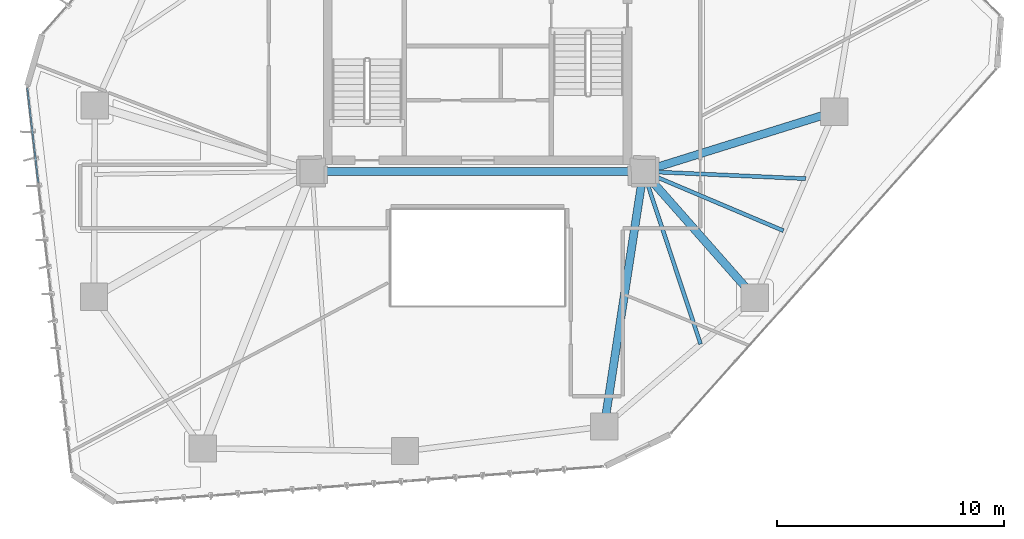
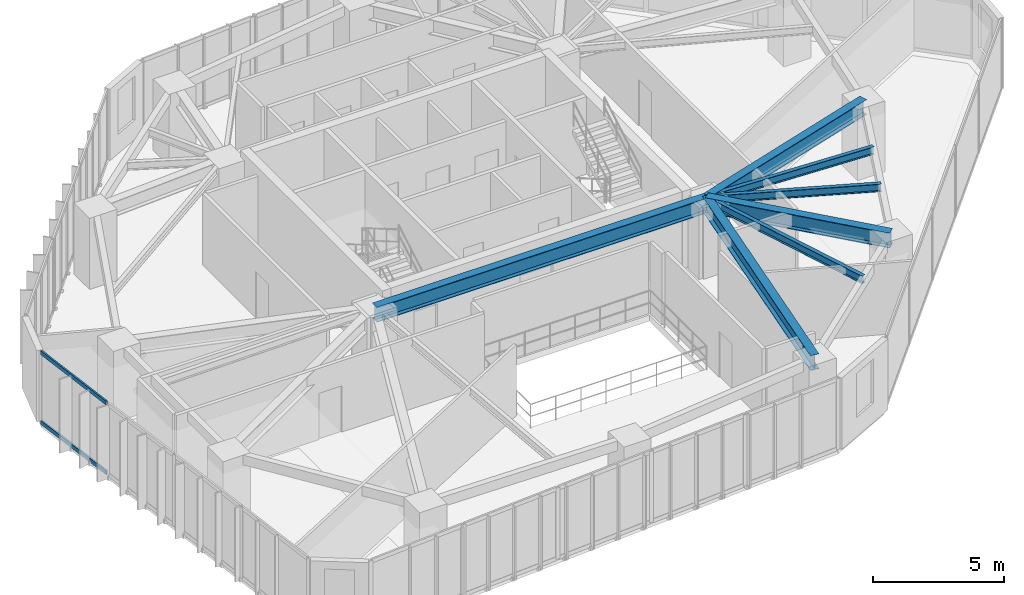
# One storey, part 8 of 23: 7 beams, 2 members, 1 element without a shape of its own.
"""IFC4 building model written with IfcOpenShell, lengths in metres."""

from ifc_helpers import new_model, si_unit, direction, frame, origin, origin_2d, place, context, subcontext, project, spatial, hollow_rectangle, i_section, extrude, source, transform, mapped, material, layer, layer_set, material_profile, profile_set, type_object, type_shapes, element, aggregate, save


model = new_model("IFC4")

# Units and contexts
model_context = context("Model", 3, precision=1e-05, world=origin(), true_north=direction((0.0, 1.0)))
body_context = subcontext(model_context, "Body", "Model", "MODEL_VIEW")
ifc_project = project(units=[si_unit("LENGTHUNIT", "METRE"), si_unit("AREAUNIT", "SQUARE_METRE"), si_unit("VOLUMEUNIT", "CUBIC_METRE"), si_unit("PLANEANGLEUNIT", "RADIAN"), si_unit("MASSUNIT", "GRAM", prefix="KILO")], contexts=[model_context])

# Site, building, storey
site_placement = place(None, origin())
site = spatial("IfcSite", under=ifc_project, at=site_placement, CompositionType="ELEMENT")
building_placement = place(site_placement, origin())
building = spatial("IfcBuilding", under=site, at=building_placement, Name="Talar Marvaseh", CompositionType="ELEMENT")
storey_placement = place(building_placement, frame((0.0, 0.0, 103.800048828125)))
storey = spatial("IfcBuildingStorey", under=building, at=storey_placement, Name="L26", CompositionType="ELEMENT", Elevation=103.800048828125)

# Beams
ifc_material_1 = material(Name="Steel S355", Category="steel")
ifc_material_profile_1 = material_profile(ifc_material_1, i_section(OverallWidth=0.35498046875, OverallDepth=0.695068359375, WebThickness=0.015380859375, FlangeThickness=0.02490234375, at=origin_2d()), Name="W690x217")
ifc_profile_set_1 = profile_set([ifc_material_profile_1], Name="Steel S355")
beam_type_1 = type_object("IfcBeamType", Name="Zone 2 Radial Floor Girder W690x217", PredefinedType="BEAM", material=ifc_profile_set_1)
beam_1_placement = place(storey_placement, frame((18.699951171875, 25.5, 2.96240234375), z_axis=(1.0, 0.0, 0.0), x_axis=(0.0, 1.0, 0.0)))
element("IfcBeam", 1, at=beam_1_placement, inside=storey, type_object=beam_type_1, Name="L26 Zone 2 Radial Floor Girder W690x217", PredefinedType="BEAM", context=body_context, shape_type="SweptSolid", body=[
    extrude(i_section(OverallWidth=0.35498046875, OverallDepth=0.695068359375, WebThickness=0.015380859375, FlangeThickness=0.02490234375, at=origin_2d()), origin(), (0.0, 0.0, 1.0), 14.60009765625),
])
beam_2_placement = place(storey_placement, frame((41.708984375, 28.1279296875, 2.96240234375), z_axis=(-0.954475540106, -0.298289194138, 0.0), x_axis=(0.298289194138, -0.954475540106, 0.0)))
element("IfcBeam", 2, at=beam_2_placement, inside=storey, type_object=beam_type_1, Name="L26 Zone 2 Radial Floor Girder W690x217", PredefinedType="BEAM", context=body_context, shape_type="SweptSolid", body=[
    extrude(i_section(OverallWidth=0.35498046875, OverallDepth=0.695068359375, WebThickness=0.015380859375, FlangeThickness=0.02490234375, at=origin_2d()), origin(), (0.0, 0.0, 1.0), 8.81005859375),
])
beam_3_placement = place(storey_placement, frame((38.2060546875, 19.94091796875, 2.96240234375), z_axis=(-0.661692423388, 0.749775390921, 0.0), x_axis=(-0.749775390921, -0.661692423388, 0.0)))
element("IfcBeam", 3, at=beam_3_placement, inside=storey, type_object=beam_type_1, Name="L26 Zone 2 Radial Floor Girder W690x217", PredefinedType="BEAM", context=body_context, shape_type="SweptSolid", body=[
    extrude(i_section(OverallWidth=0.35498046875, OverallDepth=0.695068359375, WebThickness=0.015380859375, FlangeThickness=0.02490234375, at=origin_2d()), origin(), (0.0, 0.0, 1.0), 7.414306640625),
])
beam_4_placement = place(storey_placement, frame((31.570068359375, 14.26806640625, 2.96240234375), z_axis=(0.152228300633, 0.98834535689, 0.0), x_axis=(-0.98834535689, 0.152228300633, 0.0)))
element("IfcBeam", 4, at=beam_4_placement, inside=storey, type_object=beam_type_1, Name="L26 Zone 2 Radial Floor Girder W690x217", PredefinedType="BEAM", context=body_context, shape_type="SweptSolid", body=[
    extrude(i_section(OverallWidth=0.35498046875, OverallDepth=0.695068359375, WebThickness=0.015380859375, FlangeThickness=0.02490234375, at=origin_2d()), origin(), (0.0, 0.0, 1.0), 11.364501953125),
])
ifc_material_profile_2 = material_profile(ifc_material_1, i_section(OverallWidth=0.172119140625, OverallDepth=0.35791015625, WebThickness=0.0078125, FlangeThickness=0.01318359375, at=origin_2d()), Name="W360x57")
ifc_profile_set_2 = profile_set([ifc_material_profile_2], Name="Steel S355")
beam_type_2 = type_object("IfcBeamType", Name="Zone 2 Secondary Floor Joist W360x57", PredefinedType="JOIST", material=ifc_profile_set_2)
beam_5_placement = place(storey_placement, frame((40.447998046875, 25.1806640625, 3.130859375), z_axis=(-0.999003555358, 0.044630666385, 0.0), x_axis=(-0.044630666385, -0.999003555358, 0.0)))
element("IfcBeam", 5, at=beam_5_placement, inside=storey, type_object=beam_type_2, Name="L26 Zone 2 Secondary Floor Joist W360x57", PredefinedType="JOIST", context=body_context, shape_type="SweptSolid", body=[
    extrude(i_section(OverallWidth=0.172119140625, OverallDepth=0.35791015625, WebThickness=0.0078125, FlangeThickness=0.01318359375, at=origin_2d()), origin(), (0.0, 0.0, 1.0), 7.155029296875),
])
beam_6_placement = place(storey_placement, frame((39.467041015625, 22.88818359375, 3.130859375), z_axis=(-0.920822287071, 0.389982455546, 0.0), x_axis=(-0.389982455546, -0.920822287071, 0.0)))
element("IfcBeam", 6, at=beam_6_placement, inside=storey, type_object=beam_type_2, Name="L26 Zone 2 Secondary Floor Joist W360x57", PredefinedType="JOIST", context=body_context, shape_type="SweptSolid", body=[
    extrude(i_section(OverallWidth=0.172119140625, OverallDepth=0.35791015625, WebThickness=0.0078125, FlangeThickness=0.01318359375, at=origin_2d()), origin(), (0.0, 0.0, 1.0), 6.697265625),
])
beam_7_placement = place(storey_placement, frame((35.81689453125, 17.898681640625, 3.130859375), z_axis=(-0.314324535154, 0.949315588516, 0.0), x_axis=(-0.949315588516, -0.314324535154, 0.0)))
element("IfcBeam", 7, at=beam_7_placement, inside=storey, type_object=beam_type_2, Name="L26 Zone 2 Secondary Floor Joist W360x57", PredefinedType="JOIST", context=body_context, shape_type="SweptSolid", body=[
    extrude(i_section(OverallWidth=0.172119140625, OverallDepth=0.35791015625, WebThickness=0.0078125, FlangeThickness=0.01318359375, at=origin_2d()), origin(), (0.0, 0.0, 1.0), 8.007080078125),
])

# Curtain wall, members
ifc_material_2 = material(Name="Architectural Aluminium", Category="aluminium")
ifc_layer = layer(ifc_material_2, 0.199951171875)
ifc_layer_set = layer_set([ifc_layer], Name="Architectural Aluminium")
curtain_wall_type = type_object("IfcCurtainWallType", Name="Unitised Acoustic Library Curtain Wall Z2", PredefinedType="NOTDEFINED", material=ifc_layer_set)
curtain_wall_placement = place(storey_placement, origin())
curtain_wall = element("IfcCurtainWall", 8, at=curtain_wall_placement, inside=storey, type_object=curtain_wall_type, Name="L26 Unitised Acoustic Library Curtain Wall Z2", PredefinedType="NOTDEFINED")
ifc_material_profile_3 = material_profile(ifc_material_2, hollow_rectangle(XDim=0.074951171875, YDim=0.179931640625, WallThickness=0.0048828125, at=origin_2d()), Name="RHS180x75x5")
ifc_profile_set_3 = profile_set([ifc_material_profile_3], Name="Architectural Aluminium")
member_type = type_object("IfcMemberType", Name="Unitised Curtain Wall Transom RHS180x75x5", PredefinedType="USERDEFINED", material=ifc_profile_set_3)
shared_shape = source(origin(), body_context, "Body", "SweptSolid", [
    extrude(hollow_rectangle(XDim=0.074951171875, YDim=0.179931640625, WallThickness=0.0048828125, at=origin_2d()), origin(), (0.0, 0.0, 1.0), 4.185302734375),
])
type_shapes(member_type, [shared_shape])
member_1_placement = place(storey_placement, frame((6.6494140625, 25.019287109375, 0.037353515625), z_axis=(-0.114854364589, 0.99338234076, 0.0), x_axis=(-0.99338234076, -0.114854364589, 0.0)))
member_1 = element("IfcMember", 9, at=member_1_placement, type_object=member_type, Name="CW-Z2 transom 4.1", ObjectType="TRANSOM", PredefinedType="USERDEFINED", context=body_context, shape_type="MappedRepresentation", body=[
    mapped(shared_shape, transform((0.0, 0.0, 0.0), x_axis=(1.0, 0.0, 0.0), y_axis=(0.0, 1.0, 0.0), z_axis=(0.0, 0.0, 1.0), scale=1.0)),
])
member_2_placement = place(storey_placement, frame((6.6494140625, 25.019287109375, 3.2724609375), z_axis=(-0.114854364589, 0.99338234076, 0.0), x_axis=(-0.99338234076, -0.114854364589, 0.0)))
member_2 = element("IfcMember", 10, at=member_2_placement, type_object=member_type, Name="CW-Z2 transom 4.2", ObjectType="TRANSOM", PredefinedType="USERDEFINED", context=body_context, shape_type="MappedRepresentation", body=[
    mapped(shared_shape, transform((0.0, 0.0, 0.0), x_axis=(1.0, 0.0, 0.0), y_axis=(0.0, 1.0, 0.0), z_axis=(0.0, 0.0, 1.0), scale=1.0)),
])
aggregate(curtain_wall, [member_1, member_2])

save(model, "model.ifc")
